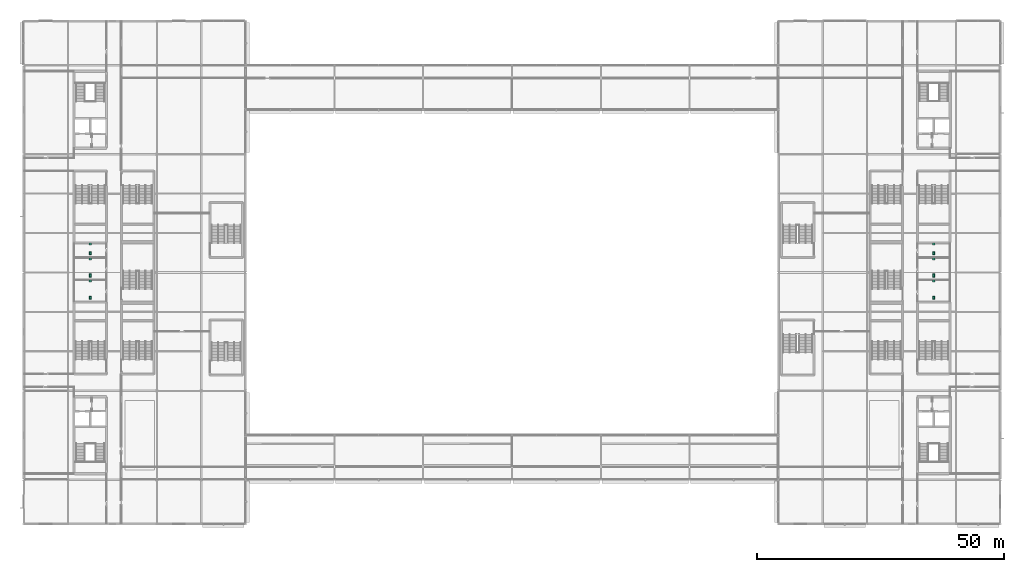
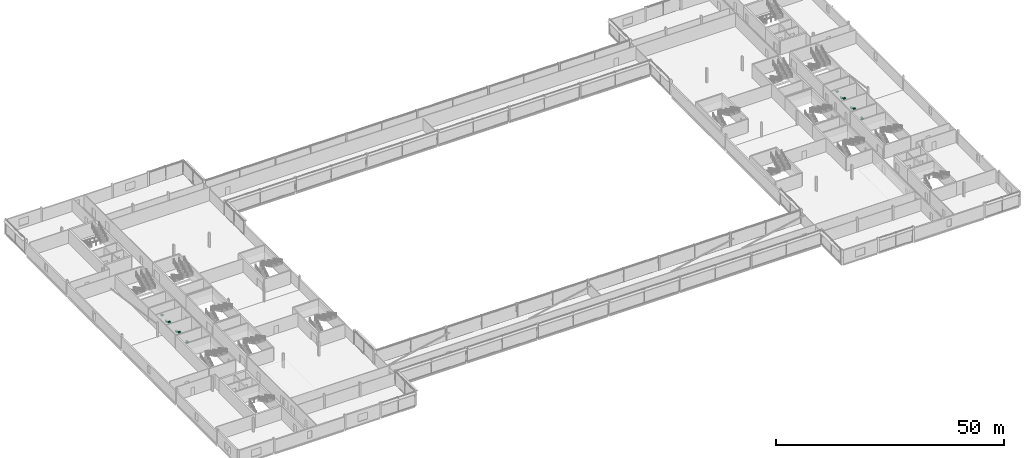
# One storey, part 98 of 98: 12 sanitary terminals.
"""IFC4 building model written with IfcOpenShell, lengths in metres."""

import ifcopenshell
import ifcopenshell.guid

model = None  # the IFC model being written
_history = None  # IfcOwnerHistory: only IFC2X3 demands one
_inside = {}  # id of a spatial element -> (the spatial element, [elements in it])
_under = {}  # id of a project, library or spatial element -> (it, [spatial elements below it])
_declared = {}  # id of a project -> (the project, [libraries it declares])
_typed = {}  # id of a type object -> (the type object, [elements of that type])
_made_of = {}  # id of a material, layer set ... -> (it, [elements and type objects made of it])


def new_model(schema):
    """Start an empty IFC model of exactly this schema.

    Asked for "IFC4X3", IfcOpenShell would pick the latest addendum, in which some entities
    have other attributes; the version numbers below select the first issue.
    IFC2X3 requires an IfcOwnerHistory on every rooted entity: one is made here for all.
    """
    global model, _history
    if schema == "IFC4X3":
        model = ifcopenshell.file(schema_version=(4, 3, 0, 0))
    else:
        model = ifcopenshell.file(schema=schema)
    _inside.clear()
    _under.clear()
    _declared.clear()
    _typed.clear()
    _made_of.clear()
    _history = None
    if model.schema == "IFC2X3":
        org = make("IfcOrganization", Name="unknown")
        user = make(
            "IfcPersonAndOrganization",
            ThePerson=make("IfcPerson", FamilyName="unknown"),
            TheOrganization=org,
        )
        app = make(
            "IfcApplication",
            ApplicationDeveloper=org,
            Version="unknown",
            ApplicationFullName="unknown",
            ApplicationIdentifier="unknown",
        )
        _history = make(
            "IfcOwnerHistory",
            OwningUser=user,
            OwningApplication=app,
            ChangeAction="ADDED",
            CreationDate=0,
        )
    return model


def make(cls, **values):
    """One entity of the class cls with the attributes given. An attribute that is None is left unset."""
    return model.create_entity(
        cls, **{name: value for name, value in values.items() if value is not None}
    )


def rooted(cls, **values):
    """An entity with a GlobalId (a new one), such as an element, a storey or a relation."""
    return make(cls, GlobalId=ifcopenshell.guid.new(), OwnerHistory=_history, **values)


def si_unit(unit_type, name, prefix=None):
    """IfcSIUnit, for example si_unit("LENGTHUNIT", "METRE", prefix="MILLI")."""
    return make("IfcSIUnit", UnitType=unit_type, Prefix=prefix, Name=name)


def assignment(units):
    """IfcUnitAssignment: the units of a project."""
    return None if units is None else make("IfcUnitAssignment", Units=units)


def point(xyz):
    """IfcCartesianPoint."""
    return None if xyz is None else make("IfcCartesianPoint", Coordinates=xyz)


def direction(xyz):
    """IfcDirection."""
    return None if xyz is None else make("IfcDirection", DirectionRatios=xyz)


def frame(location, z_axis=None, x_axis=None):
    """IfcAxis2Placement3D, a coordinate frame: its origin and axes. An axis left out is left unset."""
    return make(
        "IfcAxis2Placement3D",
        Location=point(location),
        Axis=direction(z_axis),
        RefDirection=direction(x_axis),
    )


def frame_2d(location, x_axis=None):
    """IfcAxis2Placement2D, a coordinate frame in the plane: its origin and x axis."""
    return make(
        "IfcAxis2Placement2D", Location=point(location), RefDirection=direction(x_axis)
    )


def origin():
    """The frame at (0, 0, 0) with its axes left unset."""
    return frame((0.0, 0.0, 0.0))


def origin_2d():
    """The frame at (0, 0) in the plane with its x axis left unset."""
    return frame_2d((0.0, 0.0))


def place(relative_to, where):
    """IfcLocalPlacement: puts the frame where relative to a parent placement (None: the world)."""
    return make(
        "IfcLocalPlacement", PlacementRelTo=relative_to, RelativePlacement=where
    )


def context(
    kind, dimensions, precision=None, world=None, true_north=None, identifier=None
):
    """IfcGeometricRepresentationContext, for example the 3D "Model" context."""
    return make(
        "IfcGeometricRepresentationContext",
        ContextIdentifier=identifier,
        ContextType=kind,
        CoordinateSpaceDimension=dimensions,
        Precision=precision,
        WorldCoordinateSystem=world,
        TrueNorth=true_north,
    )


def subcontext(parent, identifier, kind, view, scale=None):
    """IfcGeometricRepresentationSubContext, for example "Body" below "Model"."""
    return make(
        "IfcGeometricRepresentationSubContext",
        ContextIdentifier=identifier,
        ContextType=kind,
        ParentContext=parent,
        TargetScale=scale,
        TargetView=view,
    )


def project(units=None, contexts=None):
    """IfcProject with its units and contexts."""
    return rooted(
        "IfcProject",
        Name="project",
        RepresentationContexts=contexts,
        UnitsInContext=assignment(units),
    )


def spatial(cls, under=None, at=None, **own):
    """A site, building, storey or space (cls), placed at a placement, below another one or the project."""
    s = rooted(cls, ObjectPlacement=at, **own)
    if under is not None:
        _under.setdefault(under.id(), (under, []))[1].append(s)
    return s


def profile(cls, at=None, kind="AREA", **sizes):
    """A parametric profile (cls). Its sizes go by their IFC names, for example OverallWidth=200.0."""
    return make(cls, ProfileType=kind, Position=at, **sizes)


def rectangle(**sizes):
    """IfcRectangleProfileDef."""
    return profile("IfcRectangleProfileDef", **sizes)


def extrude(swept, where, along, depth):
    """IfcExtrudedAreaSolid: the profile swept, set in the frame where, extruded along a direction by depth."""
    return make(
        "IfcExtrudedAreaSolid",
        SweptArea=swept,
        Position=where,
        ExtrudedDirection=direction(along),
        Depth=depth,
    )


def shape(context_of_items, identifier, shape_type, items):
    """IfcShapeRepresentation: the items that make up one representation, for example the "Body"."""
    return make(
        "IfcShapeRepresentation",
        ContextOfItems=context_of_items,
        RepresentationIdentifier=identifier,
        RepresentationType=shape_type,
        Items=items,
    )


def material(Name=None, Category=None):
    """IfcMaterial."""
    return make("IfcMaterial", Name=Name, Category=Category)


def made_of(thing, what):
    """Note that an element or type object is made of a material, layer set ...; save() writes the relation."""
    if what is not None:
        _made_of.setdefault(what.id(), (what, []))[1].append(thing)
    return thing


def type_object(cls, material=None, **own):
    """A type object (cls), such as IfcWallType, which elements share."""
    return made_of(rooted(cls, **own), material)


def element(
    cls,
    number,
    at=None,
    inside=None,
    cuts=None,
    type_object=None,
    material=None,
    context=None,
    identifier="Body",
    shape_type=None,
    held_by="IfcProductDefinitionShape",
    body=None,
    shapes=None,
    **own,
):
    """One element of the class cls, such as IfcWall. Its Tag is "e" and its number.

    at: its placement. inside: the storey or other place that contains it. cuts: it is an
    opening in that element (IfcRelVoidsElement). A single representation is given by context,
    identifier, shape_type and body (its items); several are given by shapes. held_by: the class
    of the entity that holds the representations. save() writes the other relations.
    """
    e = rooted(cls, Tag="e%d" % number, ObjectPlacement=at, **own)
    if body is not None:
        shapes = [shape(context, identifier, shape_type, body)]
    if shapes is not None:
        e.Representation = make(held_by, Representations=shapes)
    if inside is not None:
        _inside.setdefault(inside.id(), (inside, []))[1].append(e)
    if cuts is not None:
        rooted(
            "IfcRelVoidsElement", RelatingBuildingElement=cuts, RelatedOpeningElement=e
        )
    if type_object is not None:
        _typed.setdefault(type_object.id(), (type_object, []))[1].append(e)
    return made_of(e, material)


def aggregate(whole, parts):
    """IfcRelAggregates: a whole, such as a stair, and the parts it consists of."""
    return rooted("IfcRelAggregates", RelatingObject=whole, RelatedObjects=parts)


def save(model, path):
    """Write the relations noted so far, then the file.

    IfcRelAggregates (storeys below a building ...), IfcRelContainedInSpatialStructure (elements
    in a storey), IfcRelDefinesByType, IfcRelAssociatesMaterial and IfcRelDeclares: one each for
    every whole, place, type object, material and project.
    """
    for whole, parts in _under.values():
        aggregate(whole, parts)
    for where, things in _inside.values():
        rooted(
            "IfcRelContainedInSpatialStructure",
            RelatedElements=things,
            RelatingStructure=where,
        )
    for kind, things in _typed.values():
        rooted("IfcRelDefinesByType", RelatedObjects=things, RelatingType=kind)
    for what, things in _made_of.values():
        rooted("IfcRelAssociatesMaterial", RelatedObjects=things, RelatingMaterial=what)
    for by, libraries in _declared.values():
        rooted("IfcRelDeclares", RelatingContext=by, RelatedDefinitions=libraries)
    model.write(path)


model = new_model("IFC4")

# Units and contexts
model_context = context("Model", 3, precision=1e-05, world=origin(), true_north=direction((0.0, 1.0)))
body_context = subcontext(model_context, "Body", "Model", "MODEL_VIEW")
ifc_project = project(units=[si_unit("LENGTHUNIT", "METRE"), si_unit("AREAUNIT", "SQUARE_METRE"), si_unit("VOLUMEUNIT", "CUBIC_METRE"), si_unit("PLANEANGLEUNIT", "RADIAN"), si_unit("MASSUNIT", "GRAM", prefix="KILO")], contexts=[model_context])

# Site, building, storey
site_placement = place(None, origin())
site = spatial("IfcSite", under=ifc_project, at=site_placement, CompositionType="ELEMENT")
building_placement = place(site_placement, origin())
building = spatial("IfcBuilding", under=site, at=building_placement, Name="Kisiwana Market Hall", CompositionType="ELEMENT")
storey_placement = place(building_placement, frame((0.0, 0.0, 29.39990234375)))
storey = spatial("IfcBuildingStorey", under=building, at=storey_placement, Name="L06", CompositionType="ELEMENT", Elevation=29.39990234375)

# Sanitary terminals
ifc_material_1 = material(Name="Vitreous china")
sanitary_terminal_type_1 = type_object("IfcSanitaryTerminalType", Name="SAN-BASIN", PredefinedType="WASHHANDBASIN", material=ifc_material_1)
for number, where, z_axis, x_axis, name in (
    (1, (13.5, 58.25, 0.68017578125), (0.0, 0.0, 1.0), (1.0, 0.0, 0.0), "Washhand basin L06-0043"),
    (2, (13.5, 62.75, 0.68017578125), (0.0, 0.0, 1.0), (1.0, 0.0, 0.0), "Washhand basin L06-0044"),
    (3, (13.5, 65.75, 0.68017578125), (0.0, 0.0, 1.0), (1.0, 0.0, 0.0), "Washhand basin L06-0045"),
    (4, (184.5, 58.25, 0.68017578125), (0.0, 0.0, 1.0), (1.0, 0.0, 0.0), "Washhand basin L06-0046"),
    (5, (184.5, 62.75, 0.68017578125), (0.0, 0.0, 1.0), (1.0, 0.0, 0.0), "Washhand basin L06-0047"),
    (6, (184.5, 65.75, 0.68017578125), (0.0, 0.0, 1.0), (1.0, 0.0, 0.0), "Washhand basin L06-0048"),
):
    element("IfcSanitaryTerminal", number, at=place(storey_placement, frame(where, z_axis=z_axis, x_axis=x_axis)), inside=storey, type_object=sanitary_terminal_type_1, Name=name, PredefinedType="WASHHANDBASIN", context=body_context, shape_type="SweptSolid", body=[
        extrude(rectangle(XDim=0.550048828125, YDim=0.449951171875, at=origin_2d()), origin(), (0.0, 0.0, 1.0), 0.199951171875),
    ])
ifc_material_2 = material(Name="Vitreous china")
sanitary_terminal_type_2 = type_object("IfcSanitaryTerminalType", Name="SAN-WC-PAN", PredefinedType="TOILETPAN", material=ifc_material_2)
for number, where, z_axis, x_axis, name in (
    (7, (13.5, 54.89990234375, 0.000244140625), (0.0, 0.0, 1.0), (1.0, 0.0, 0.0), "WC pan L06-0043"),
    (8, (13.5, 59.39990234375, 0.000244140625), (0.0, 0.0, 1.0), (1.0, 0.0, 0.0), "WC pan L06-0044"),
    (9, (13.5, 63.89990234375, 0.000244140625), (0.0, 0.0, 1.0), (1.0, 0.0, 0.0), "WC pan L06-0045"),
    (10, (184.5, 54.89990234375, 0.000244140625), (0.0, 0.0, 1.0), (1.0, 0.0, 0.0), "WC pan L06-0046"),
    (11, (184.5, 59.39990234375, 0.000244140625), (0.0, 0.0, 1.0), (1.0, 0.0, 0.0), "WC pan L06-0047"),
    (12, (184.5, 63.89990234375, 0.000244140625), (0.0, 0.0, 1.0), (1.0, 0.0, 0.0), "WC pan L06-0048"),
):
    element("IfcSanitaryTerminal", number, at=place(storey_placement, frame(where, z_axis=z_axis, x_axis=x_axis)), inside=storey, type_object=sanitary_terminal_type_2, Name=name, PredefinedType="TOILETPAN", context=body_context, shape_type="SweptSolid", body=[
        extrude(rectangle(XDim=0.39990234375, YDim=0.64990234375, at=origin_2d()), origin(), (0.0, 0.0, 1.0), 0.419921875),
    ])

save(model, "model.ifc")
